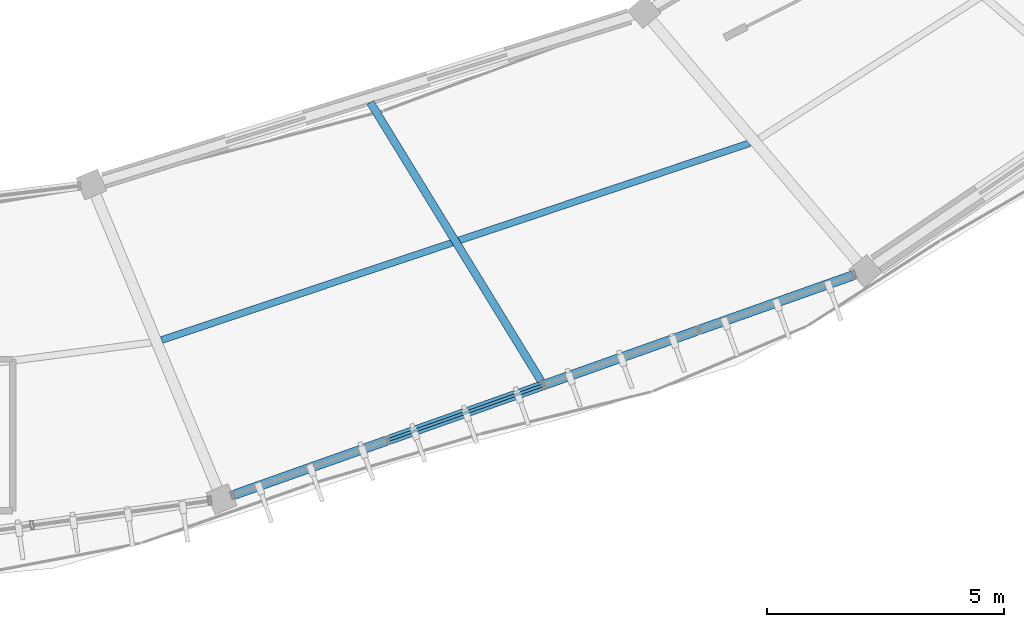
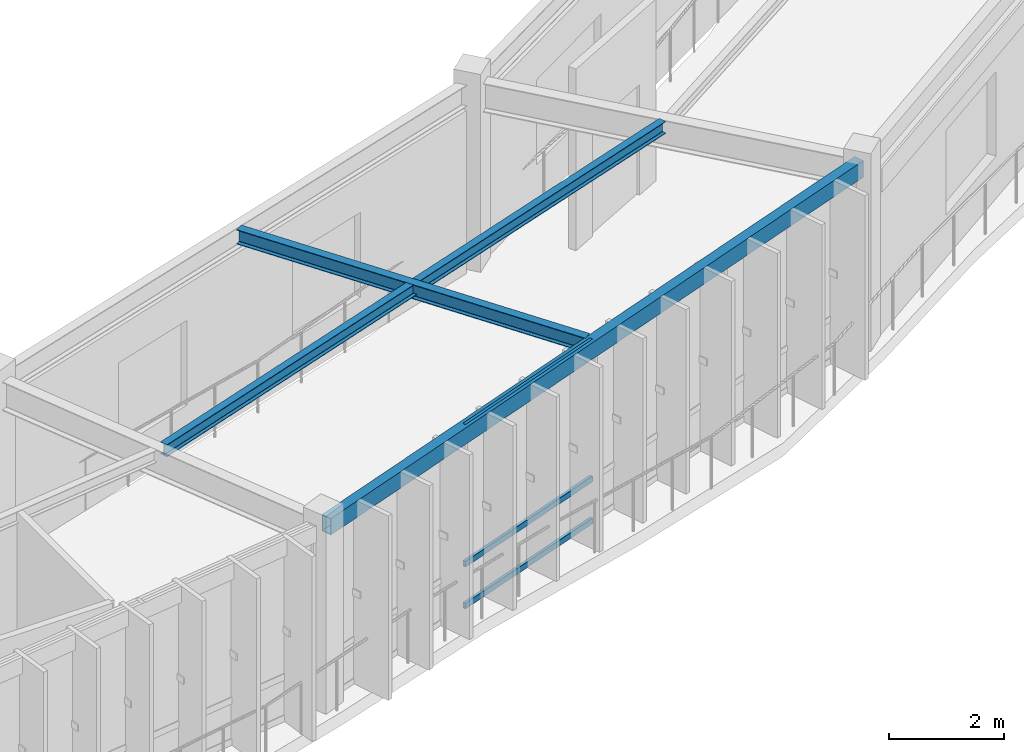
# One storey, part 43 of 78: 3 beams, 3 members, 1 element without a shape of its own.
"""IFC4 building model written with IfcOpenShell, lengths in metres."""

from ifc_helpers import new_model, si_unit, direction, frame, origin, origin_2d, place, context, subcontext, project, spatial, hollow_rectangle, i_section, extrude, material, material_profile, profile_set, type_object, element, aggregate, save


model = new_model("IFC4")

# Units and contexts
model_context = context("Model", 3, precision=1e-05, world=origin(), true_north=direction((0.0, 1.0)))
body_context = subcontext(model_context, "Body", "Model", "MODEL_VIEW")
ifc_project = project(units=[si_unit("LENGTHUNIT", "METRE"), si_unit("AREAUNIT", "SQUARE_METRE"), si_unit("VOLUMEUNIT", "CUBIC_METRE"), si_unit("PLANEANGLEUNIT", "RADIAN"), si_unit("MASSUNIT", "GRAM", prefix="KILO"), si_unit("THERMODYNAMICTEMPERATUREUNIT", "KELVIN"), si_unit("POWERUNIT", "WATT")], contexts=[model_context])

# Site, building, storey
site_placement = place(None, origin())
site = spatial("IfcSite", under=ifc_project, at=site_placement, CompositionType="ELEMENT")
building_placement = place(site_placement, origin())
building = spatial("IfcBuilding", under=site, at=building_placement, Name="Darbajah Civic Hall", CompositionType="ELEMENT")
storey_placement = place(building_placement, frame((0.0, 0.0, 26.39990234375)))
storey = spatial("IfcBuildingStorey", under=building, at=storey_placement, Name="L06", CompositionType="ELEMENT", Elevation=26.39990234375)

# Curtain wall, members
ifc_material_1 = material(Name="Anodised Bronze Aluminium and Low-E Glazing", Category="aluminium")
curtain_wall_type = type_object("IfcCurtainWallType", Name="Unitised Curtain Wall CW-85 13900x3900", PredefinedType="USERDEFINED", material=ifc_material_1)
curtain_wall_placement = place(storey_placement, origin())
curtain_wall = element("IfcCurtainWall", 1, at=curtain_wall_placement, inside=storey, type_object=curtain_wall_type, Name="L06 unitised curtain wall CW-V1O-L06-16", ObjectType="UNITISED CURTAIN WALL", PredefinedType="USERDEFINED")
ifc_material_2 = material(Name="Anodised Bronze Aluminium", Category="aluminium")
ifc_material_profile_1 = material_profile(ifc_material_2, hollow_rectangle(XDim=0.06005859375, YDim=0.1201171875, WallThickness=0.003173828125, at=origin_2d()), Name="ALU TRANSOM 60x120")
ifc_profile_set_1 = profile_set([ifc_material_profile_1], Name="Anodised Bronze Aluminium")
member_type = type_object("IfcMemberType", Name="ALU TRANSOM 60x120", PredefinedType="USERDEFINED", material=ifc_profile_set_1)
member_1_placement = place(storey_placement, frame((112.169921875, 63.804931640625, 0.06005859375), z_axis=(0.942540423743, 0.334092127429, 0.0), x_axis=(-0.334092127429, 0.942540423743, 0.0)))
member_1 = element("IfcMember", 2, at=member_1_placement, type_object=member_type, Name="CW-V1O-L06-16 transom 2.1", ObjectType="TRANSOM", PredefinedType="USERDEFINED", context=body_context, shape_type="SweptSolid", body=[
    extrude(hollow_rectangle(XDim=0.06005859375, YDim=0.1201171875, WallThickness=0.003173828125, at=origin_2d()), origin(), (0.0, 0.0, 1.0), 3.41259765625),
])
member_2_placement = place(storey_placement, frame((112.169921875, 63.804931640625, 0.9501953125), z_axis=(0.942540423743, 0.334092127429, 0.0), x_axis=(-0.334092127429, 0.942540423743, 0.0)))
member_2 = element("IfcMember", 3, at=member_2_placement, type_object=member_type, Name="CW-V1O-L06-16 transom 2.2", ObjectType="TRANSOM", PredefinedType="USERDEFINED", context=body_context, shape_type="SweptSolid", body=[
    extrude(hollow_rectangle(XDim=0.06005859375, YDim=0.1201171875, WallThickness=0.003173828125, at=origin_2d()), origin(), (0.0, 0.0, 1.0), 3.41259765625),
])
member_3_placement = place(storey_placement, frame((112.169921875, 63.804931640625, 3.860107421875), z_axis=(0.942540423743, 0.334092127429, 0.0), x_axis=(-0.334092127429, 0.942540423743, 0.0)))
member_3 = element("IfcMember", 4, at=member_3_placement, type_object=member_type, Name="CW-V1O-L06-16 transom 2.3", ObjectType="TRANSOM", PredefinedType="USERDEFINED", context=body_context, shape_type="SweptSolid", body=[
    extrude(hollow_rectangle(XDim=0.06005859375, YDim=0.1201171875, WallThickness=0.003173828125, at=origin_2d()), origin(), (0.0, 0.0, 1.0), 3.41259765625),
])
aggregate(curtain_wall, [member_1, member_2, member_3])

# Beams
ifc_material_3 = material(Name="Steel S355JR", Category="steel")
ifc_material_profile_2 = material_profile(ifc_material_3, hollow_rectangle(XDim=0.199951171875, YDim=0.35009765625, WallThickness=0.012451171875, at=origin_2d()), Name="RHS 350x200x12.5")
ifc_profile_set_2 = profile_set([ifc_material_profile_2], Name="Steel S355JR")
beam_type_1 = type_object("IfcBeamType", Name="RHS 350x200x12.5", PredefinedType="SPANDREL", material=ifc_profile_set_2)
beam_1_placement = place(storey_placement, frame((108.6923828125, 62.572265625, 3.7451171875), z_axis=(0.942537934189, 0.334099150875, 0.0), x_axis=(-0.334099150875, 0.942537934189, 0.0)))
element("IfcBeam", 5, at=beam_1_placement, inside=storey, type_object=beam_type_1, Name="L06 beam SP-RHS350", PredefinedType="SPANDREL", context=body_context, shape_type="SweptSolid", body=[
    extrude(hollow_rectangle(XDim=0.199951171875, YDim=0.35009765625, WallThickness=0.012451171875, at=origin_2d()), origin(), (0.0, 0.0, 1.0), 14.2744140625),
])
ifc_material_profile_3 = material_profile(ifc_material_3, i_section(OverallWidth=0.146484375, OverallDepth=0.256103515625, WebThickness=0.00634765625, FlangeThickness=0.010986328125, FilletRadius=0.007568359375, at=origin_2d()), Name="UB 254x146x37")
ifc_profile_set_3 = profile_set([ifc_material_profile_3], Name="Steel S355JR")
beam_type_2 = type_object("IfcBeamType", Name="UB 254x146x37", PredefinedType="JOIST", material=ifc_profile_set_3)
beam_2_placement = place(storey_placement, frame((107.34912109375, 65.908447265625, 3.7919921875), z_axis=(0.948257615403, 0.317501960357, 0.0), x_axis=(-0.317501960357, 0.948257615403, 0.0)))
element("IfcBeam", 6, at=beam_2_placement, inside=storey, type_object=beam_type_2, Name="L06 beam SJ-254", PredefinedType="JOIST", context=body_context, shape_type="SweptSolid", body=[
    extrude(i_section(OverallWidth=0.146484375, OverallDepth=0.256103515625, WebThickness=0.00634765625, FlangeThickness=0.010986328125, FilletRadius=0.007568359375, at=origin_2d()), origin(), (0.0, 0.0, 1.0), 13.102783203125),
])
ifc_material_profile_4 = material_profile(ifc_material_3, i_section(OverallWidth=0.165771484375, OverallDepth=0.306640625, WebThickness=0.006591796875, FlangeThickness=0.01171875, FilletRadius=0.0087890625, at=origin_2d()), Name="UB 305x165x46")
ifc_profile_set_4 = profile_set([ifc_material_profile_4], Name="Steel S355JR")
beam_type_3 = type_object("IfcBeamType", Name="UB 305x165x46", PredefinedType="JOIST", material=ifc_profile_set_4)
beam_3_placement = place(storey_placement, frame((111.759033203125, 70.9296875, 3.766845703125), z_axis=(0.522523909848, -0.852624632319, 0.0), x_axis=(0.852624632319, 0.522523909848, 0.0)))
element("IfcBeam", 7, at=beam_3_placement, inside=storey, type_object=beam_type_3, Name="L06 beam SJ-305", PredefinedType="JOIST", context=body_context, shape_type="SweptSolid", body=[
    extrude(i_section(OverallWidth=0.165771484375, OverallDepth=0.306640625, WebThickness=0.006591796875, FlangeThickness=0.01171875, FilletRadius=0.0087890625, at=origin_2d()), origin(), (0.0, 0.0, 1.0), 6.9033203125),
])

save(model, "model.ifc")
